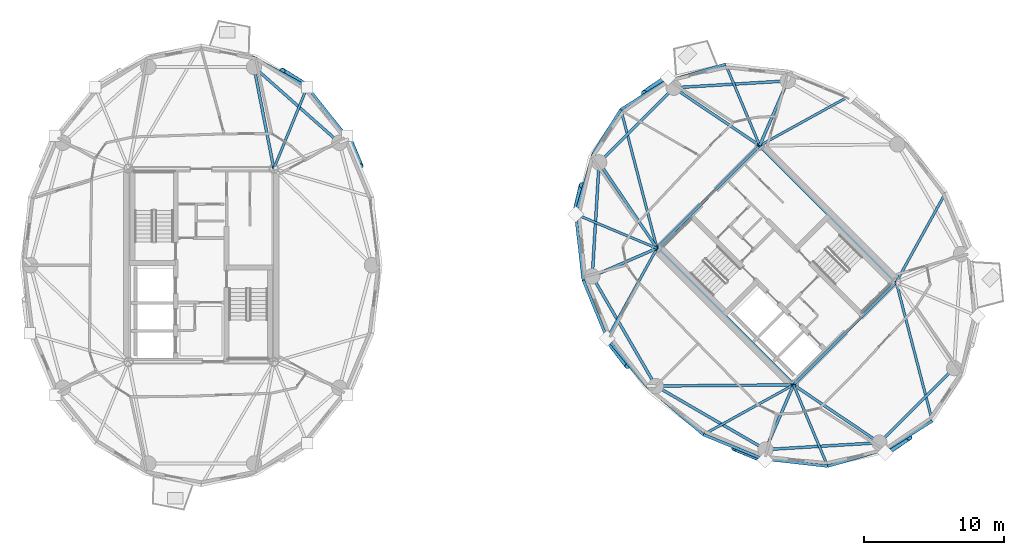
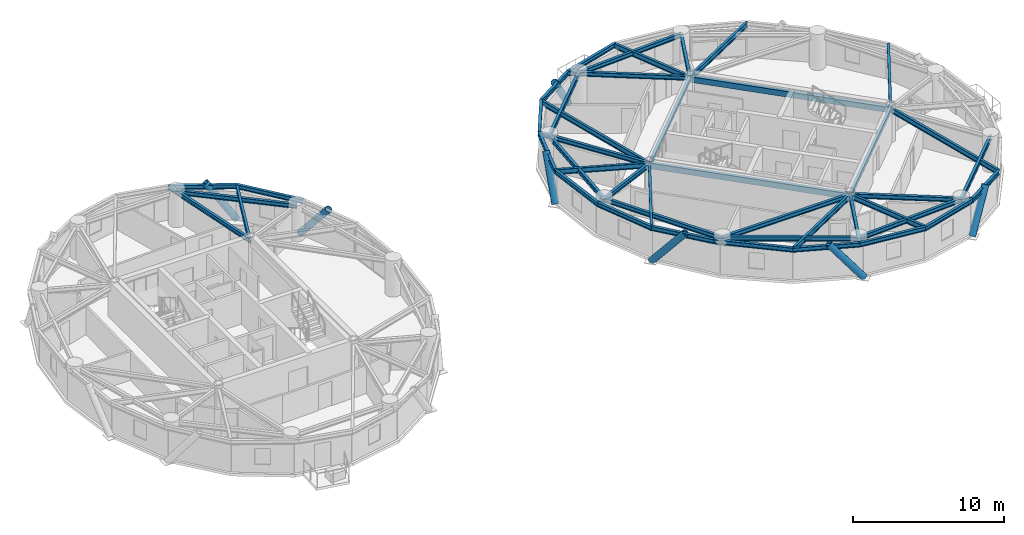
# One storey, part 4 of 16: 44 beams, 7 members.
"""IFC4 building model written with IfcOpenShell, lengths in metres."""

from ifc_helpers import new_model, si_unit, direction, frame, origin, origin_2d, place, context, subcontext, project, spatial, hollow_rectangle, hollow_circle, i_section, extrude, material, material_profile, profile_set, type_object, element, save


model = new_model("IFC4")

# Units and contexts
model_context = context("Model", 3, precision=1e-05, world=origin(), true_north=direction((0.0, 1.0)))
body_context = subcontext(model_context, "Body", "Model", "MODEL_VIEW")
ifc_project = project(units=[si_unit("LENGTHUNIT", "METRE"), si_unit("AREAUNIT", "SQUARE_METRE"), si_unit("VOLUMEUNIT", "CUBIC_METRE"), si_unit("PLANEANGLEUNIT", "RADIAN"), si_unit("MASSUNIT", "GRAM", prefix="KILO")], contexts=[model_context])

# Site, building, storey
site_placement = place(None, origin())
site = spatial("IfcSite", under=ifc_project, at=site_placement, CompositionType="ELEMENT")
building_placement = place(site_placement, origin())
building = spatial("IfcBuilding", under=site, at=building_placement, Name="Cununo Teusaquillo Station Towers", CompositionType="ELEMENT")
storey_placement = place(building_placement, frame((0.0, 0.0, 208.300048828125)))
storey = spatial("IfcBuildingStorey", under=building, at=storey_placement, Name="L66", CompositionType="ELEMENT", Elevation=208.300048828125)

# Beams
ifc_material_1 = material(Name="Steel EN 10025-2 S355J2", Category="steel")
ifc_material_profile_1 = material_profile(ifc_material_1, hollow_rectangle(XDim=0.25, YDim=0.449951171875, WallThickness=0.01611328125, at=origin_2d()), Name="RHS 450x250x16")
ifc_profile_set_1 = profile_set([ifc_material_profile_1], Name="Steel EN 10025-2 S355J2")
beam_type_1 = type_object("IfcBeamType", Name="BM-COUP-1", PredefinedType="USERDEFINED", material=ifc_profile_set_1)
for number, where, z_axis, x_axis, name in (
    (1, (58.70556640625, 15.975830078125, 2.474853515625), (-0.707106781187, 0.707106781187, 0.0), (-0.707106781187, -0.707106781187, 0.0), "L66 Tower B Core Beam 1"),
    (2, (66.024169921875, 23.29443359375, 2.474853515625), (-0.707106781187, 0.707106781187, 0.0), (-0.707106781187, -0.707106781187, 0.0), "L66 Tower B Core Beam 2"),
):
    element("IfcBeam", number, at=place(storey_placement, frame(where, z_axis=z_axis, x_axis=x_axis)), inside=storey, type_object=beam_type_1, Name=name, ObjectType="COUPLING BEAM", PredefinedType="USERDEFINED", context=body_context, shape_type="SweptSolid", body=[
        extrude(hollow_rectangle(XDim=0.25, YDim=0.449951171875, WallThickness=0.01611328125, at=origin_2d()), origin(), (0.0, 0.0, 1.0), 13.760009765625),
    ])
ifc_material_2 = material(Name="Steel ASTM A572 Grade 50", Category="steel")
ifc_material_profile_2 = material_profile(ifc_material_2, i_section(OverallWidth=0.180908203125, OverallDepth=0.4169921875, WebThickness=0.010986328125, FlangeThickness=0.018310546875, FilletRadius=0.012939453125, at=origin_2d()), Name="W16X57")
ifc_profile_set_2 = profile_set([ifc_material_profile_2], Name="Steel ASTM A572 Grade 50")
beam_type_2 = type_object("IfcBeamType", Name="BM-JOIST-1", PredefinedType="JOIST", material=ifc_profile_set_2)
beam_1_placement = place(storey_placement, frame((21.675048828125, 31.3798828125, 2.491455078125), z_axis=(0.378576847217, 0.925569862707, 0.0), x_axis=(-0.925569862707, 0.378576847217, 0.0)))
element("IfcBeam", 3, at=beam_1_placement, inside=storey, type_object=beam_type_2, Name="L66 Tower A Radial Spandrel Joist V03", PredefinedType="JOIST", context=body_context, shape_type="SweptSolid", body=[
    extrude(i_section(OverallWidth=0.180908203125, OverallDepth=0.4169921875, WebThickness=0.010986328125, FlangeThickness=0.018310546875, FilletRadius=0.012939453125, at=origin_2d()), origin(), (0.0, 0.0, 1.0), 6.28125),
])
beam_2_placement = place(storey_placement, frame((56.29443359375, 33.024169921875, 2.491455078125), z_axis=(0.8753153358, 0.483552544108, 0.0), x_axis=(-0.483552544108, 0.8753153358, 0.0)))
element("IfcBeam", 4, at=beam_2_placement, inside=storey, type_object=beam_type_2, Name="L66 Tower B Radial Spandrel Joist V01", PredefinedType="JOIST", context=body_context, shape_type="SweptSolid", body=[
    extrude(i_section(OverallWidth=0.180908203125, OverallDepth=0.4169921875, WebThickness=0.010986328125, FlangeThickness=0.018310546875, FilletRadius=0.012939453125, at=origin_2d()), origin(), (0.0, 0.0, 1.0), 7.3330078125),
])
beam_3_placement = place(storey_placement, frame((56.29443359375, 33.024169921875, 2.491455078125), z_axis=(-0.386786389381, 0.922169338565, 0.0), x_axis=(-0.922169338565, -0.386786389381, 0.0)))
element("IfcBeam", 5, at=beam_3_placement, inside=storey, type_object=beam_type_2, Name="L66 Tower B Radial Spandrel Joist V03", PredefinedType="JOIST", context=body_context, shape_type="SweptSolid", body=[
    extrude(i_section(OverallWidth=0.180908203125, OverallDepth=0.4169921875, WebThickness=0.010986328125, FlangeThickness=0.018310546875, FilletRadius=0.012939453125, at=origin_2d()), origin(), (0.0, 0.0, 1.0), 6.281005859375),
])
beam_4_placement = place(storey_placement, frame((48.975830078125, 25.70556640625, 2.491455078125), z_axis=(-0.251559992432, 0.967841707206, 0.0), x_axis=(-0.967841707206, -0.251559992432, 0.0)))
element("IfcBeam", 6, at=beam_4_placement, inside=storey, type_object=beam_type_2, Name="L66 Tower B Radial Spandrel Joist V05", PredefinedType="JOIST", context=body_context, shape_type="SweptSolid", body=[
    extrude(i_section(OverallWidth=0.180908203125, OverallDepth=0.4169921875, WebThickness=0.010986328125, FlangeThickness=0.018310546875, FilletRadius=0.012939453125, at=origin_2d()), origin(), (0.0, 0.0, 1.0), 10.217529296875),
])
beam_5_placement = place(storey_placement, frame((48.975830078125, 25.70556640625, 2.491455078125), z_axis=(-0.922169338565, 0.386786389381, 0.0), x_axis=(-0.386786389381, -0.922169338565, 0.0)))
element("IfcBeam", 7, at=beam_5_placement, inside=storey, type_object=beam_type_2, Name="L66 Tower B Radial Spandrel Joist V07", PredefinedType="JOIST", context=body_context, shape_type="SweptSolid", body=[
    extrude(i_section(OverallWidth=0.180908203125, OverallDepth=0.4169921875, WebThickness=0.010986328125, FlangeThickness=0.018310546875, FilletRadius=0.012939453125, at=origin_2d()), origin(), (0.0, 0.0, 1.0), 6.281005859375),
])
for number, where, z_axis, x_axis, name in (
    (8, (48.975830078125, 25.70556640625, 2.491455078125), (-0.483552544108, -0.8753153358, 0.0), (0.8753153358, -0.483552544108, 0.0), "L66 Tower B Radial Spandrel Joist V09"),
    (9, (58.70556640625, 15.975830078125, 2.491455078125), (-0.8753153358, -0.483552544108, 0.0), (0.483552544108, -0.8753153358, 0.0), "L66 Tower B Radial Spandrel Joist V11"),
):
    element("IfcBeam", number, at=place(storey_placement, frame(where, z_axis=z_axis, x_axis=x_axis)), inside=storey, type_object=beam_type_2, Name=name, PredefinedType="JOIST", context=body_context, shape_type="SweptSolid", body=[
        extrude(i_section(OverallWidth=0.180908203125, OverallDepth=0.4169921875, WebThickness=0.010986328125, FlangeThickness=0.018310546875, FilletRadius=0.012939453125, at=origin_2d()), origin(), (0.0, 0.0, 1.0), 7.3330078125),
    ])
beam_6_placement = place(storey_placement, frame((58.70556640625, 15.975830078125, 2.491455078125), z_axis=(0.386786389381, -0.922169338565, 0.0), x_axis=(0.922169338565, 0.386786389381, 0.0)))
element("IfcBeam", 10, at=beam_6_placement, inside=storey, type_object=beam_type_2, Name="L66 Tower B Radial Spandrel Joist V13", PredefinedType="JOIST", context=body_context, shape_type="SweptSolid", body=[
    extrude(i_section(OverallWidth=0.180908203125, OverallDepth=0.4169921875, WebThickness=0.010986328125, FlangeThickness=0.018310546875, FilletRadius=0.012939453125, at=origin_2d()), origin(), (0.0, 0.0, 1.0), 6.281005859375),
])
beam_7_placement = place(storey_placement, frame((66.024169921875, 23.29443359375, 2.491455078125), z_axis=(0.251559992432, -0.967841707206, 0.0), x_axis=(0.967841707206, 0.251559992432, 0.0)))
element("IfcBeam", 11, at=beam_7_placement, inside=storey, type_object=beam_type_2, Name="L66 Tower B Radial Spandrel Joist V15", PredefinedType="JOIST", context=body_context, shape_type="SweptSolid", body=[
    extrude(i_section(OverallWidth=0.180908203125, OverallDepth=0.4169921875, WebThickness=0.010986328125, FlangeThickness=0.018310546875, FilletRadius=0.012939453125, at=origin_2d()), origin(), (0.0, 0.0, 1.0), 10.217529296875),
])
beam_8_placement = place(storey_placement, frame((66.024169921875, 23.29443359375, 2.491455078125), z_axis=(0.483552544108, 0.8753153358, 0.0), x_axis=(-0.8753153358, 0.483552544108, 0.0)))
element("IfcBeam", 12, at=beam_8_placement, inside=storey, type_object=beam_type_2, Name="L66 Tower B Radial Spandrel Joist V19", PredefinedType="JOIST", context=body_context, shape_type="SweptSolid", body=[
    extrude(i_section(OverallWidth=0.180908203125, OverallDepth=0.4169921875, WebThickness=0.010986328125, FlangeThickness=0.018310546875, FilletRadius=0.012939453125, at=origin_2d()), origin(), (0.0, 0.0, 1.0), 7.3330078125),
])
ifc_material_3 = material(Name="Steel ASTM A572 Grade 50", Category="steel")
ifc_material_profile_3 = material_profile(ifc_material_3, i_section(OverallWidth=0.2041015625, OverallDepth=0.35009765625, WebThickness=0.008544921875, FlangeThickness=0.01513671875, FilletRadius=0.011962890625, at=origin_2d()), Name="W14X48")
ifc_profile_set_3 = profile_set([ifc_material_profile_3], Name="Steel ASTM A572 Grade 50")
beam_type_3 = type_object("IfcBeamType", Name="BM-LINTEL-1", PredefinedType="LINTEL", material=ifc_profile_set_3)
for number, where, z_axis, x_axis, name in (
    (13, (58.70556640625, 15.975830078125, 2.52490234375), (0.707106781187, 0.707106781187, 0.0), (-0.707106781187, 0.707106781187, 0.0), "L66 Tower B Core Beam 3"),
    (14, (48.975830078125, 25.70556640625, 2.52490234375), (0.707106781187, 0.707106781187, 0.0), (-0.707106781187, 0.707106781187, 0.0), "L66 Tower B Core Beam 4"),
):
    element("IfcBeam", number, at=place(storey_placement, frame(where, z_axis=z_axis, x_axis=x_axis)), inside=storey, type_object=beam_type_3, Name=name, PredefinedType="LINTEL", context=body_context, shape_type="SweptSolid", body=[
        extrude(i_section(OverallWidth=0.2041015625, OverallDepth=0.35009765625, WebThickness=0.008544921875, FlangeThickness=0.01513671875, FilletRadius=0.011962890625, at=origin_2d()), origin(), (0.0, 0.0, 1.0), 10.35009765625),
    ])
ifc_material_4 = material(Name="Steel ASTM A572 Grade 50", Category="steel")
ifc_material_profile_4 = material_profile(ifc_material_4, i_section(OverallWidth=0.2041015625, OverallDepth=0.35009765625, WebThickness=0.008544921875, FlangeThickness=0.01513671875, FilletRadius=0.011962890625, at=origin_2d()), Name="W14X48")
ifc_profile_set_4 = profile_set([ifc_material_profile_4], Name="Steel ASTM A572 Grade 50")
beam_type_4 = type_object("IfcBeamType", Name="BM-RAD-G3", PredefinedType="BEAM", material=ifc_profile_set_4)
beam_9_placement = place(storey_placement, frame((21.675048828125, 31.3798828125, 2.52490234375), z_axis=(-0.191548487699, 0.981483151593, 0.0), x_axis=(-0.981483151593, -0.191548487699, 0.0)))
element("IfcBeam", 15, at=beam_9_placement, inside=storey, type_object=beam_type_4, Name="L66 Tower A Continuous Overhanging Radial Girder 03", PredefinedType="BEAM", context=body_context, shape_type="SweptSolid", body=[
    extrude(i_section(OverallWidth=0.2041015625, OverallDepth=0.35009765625, WebThickness=0.008544921875, FlangeThickness=0.01513671875, FilletRadius=0.011962890625, at=origin_2d()), origin(), (0.0, 0.0, 1.0), 8.1240234375),
])
beam_10_placement = place(storey_placement, frame((56.29443359375, 33.024169921875, 2.52490234375), z_axis=(0.397346986387, 0.917668443616, 0.0), x_axis=(-0.917668443616, 0.397346986387, 0.0)))
element("IfcBeam", 16, at=beam_10_placement, inside=storey, type_object=beam_type_4, Name="L66 Tower B Radial Girder 02A", PredefinedType="BEAM", context=body_context, shape_type="SweptSolid", body=[
    extrude(i_section(OverallWidth=0.2041015625, OverallDepth=0.35009765625, WebThickness=0.008544921875, FlangeThickness=0.01513671875, FilletRadius=0.011962890625, at=origin_2d()), origin(), (0.0, 0.0, 1.0), 5.02490234375),
])
for number, where, z_axis, x_axis, name in (
    (17, (56.29443359375, 33.024169921875, 2.52490234375), (-0.829456817529, 0.558570844079, 0.0), (-0.558570844079, -0.829456817529, 0.0), "L66 Tower B Continuous Overhanging Radial Girder 03"),
    (18, (48.975830078125, 25.70556640625, 2.52490234375), (-0.558570844079, 0.829456817529, 0.0), (-0.829456817529, -0.558570844079, 0.0), "L66 Tower B Continuous Overhanging Radial Girder 04"),
):
    element("IfcBeam", number, at=place(storey_placement, frame(where, z_axis=z_axis, x_axis=x_axis)), inside=storey, type_object=beam_type_4, Name=name, PredefinedType="BEAM", context=body_context, shape_type="SweptSolid", body=[
        extrude(i_section(OverallWidth=0.2041015625, OverallDepth=0.35009765625, WebThickness=0.008544921875, FlangeThickness=0.01513671875, FilletRadius=0.011962890625, at=origin_2d()), origin(), (0.0, 0.0, 1.0), 8.1240234375),
    ])
beam_11_placement = place(storey_placement, frame((48.975830078125, 25.70556640625, 2.52490234375), z_axis=(-0.917665176837, -0.397354530893, 0.0), x_axis=(0.397354530893, -0.917665176837, 0.0)))
element("IfcBeam", 19, at=beam_11_placement, inside=storey, type_object=beam_type_4, Name="L66 Tower B Continuous Overhanging Radial Girder 05", PredefinedType="BEAM", context=body_context, shape_type="SweptSolid", body=[
    extrude(i_section(OverallWidth=0.2041015625, OverallDepth=0.35009765625, WebThickness=0.008544921875, FlangeThickness=0.01513671875, FilletRadius=0.011962890625, at=origin_2d()), origin(), (0.0, 0.0, 1.0), 5.716552734375),
])
beam_12_placement = place(storey_placement, frame((58.70556640625, 15.975830078125, 2.52490234375), z_axis=(-0.999964431382, -0.008434214327, 0.0), x_axis=(0.008434214327, -0.999964431382, 0.0)))
element("IfcBeam", 20, at=beam_12_placement, inside=storey, type_object=beam_type_4, Name="L66 Tower B Radial Girder 06A", PredefinedType="BEAM", context=body_context, shape_type="SweptSolid", body=[
    extrude(i_section(OverallWidth=0.2041015625, OverallDepth=0.35009765625, WebThickness=0.008544921875, FlangeThickness=0.01513671875, FilletRadius=0.011962890625, at=origin_2d()), origin(), (0.0, 0.0, 1.0), 9.812744140625),
])
beam_13_placement = place(storey_placement, frame((58.70556640625, 15.975830078125, 2.52490234375), z_axis=(-0.397354530893, -0.917665176837, 0.0), x_axis=(0.917665176837, -0.397354530893, 0.0)))
element("IfcBeam", 21, at=beam_13_placement, inside=storey, type_object=beam_type_4, Name="L66 Tower B Continuous Overhanging Radial Girder 07", PredefinedType="BEAM", context=body_context, shape_type="SweptSolid", body=[
    extrude(i_section(OverallWidth=0.2041015625, OverallDepth=0.35009765625, WebThickness=0.008544921875, FlangeThickness=0.01513671875, FilletRadius=0.011962890625, at=origin_2d()), origin(), (0.0, 0.0, 1.0), 5.716552734375),
])
beam_14_placement = place(storey_placement, frame((58.70556640625, 15.975830078125, 2.52490234375), z_axis=(0.829456817529, -0.558570844079, 0.0), x_axis=(0.558570844079, 0.829456817529, 0.0)))
element("IfcBeam", 22, at=beam_14_placement, inside=storey, type_object=beam_type_4, Name="L66 Tower B Continuous Overhanging Radial Girder 08", PredefinedType="BEAM", context=body_context, shape_type="SweptSolid", body=[
    extrude(i_section(OverallWidth=0.2041015625, OverallDepth=0.35009765625, WebThickness=0.008544921875, FlangeThickness=0.01513671875, FilletRadius=0.011962890625, at=origin_2d()), origin(), (0.0, 0.0, 1.0), 8.1240234375),
])
ifc_material_5 = material(Name="Steel ASTM A572 Grade 50", Category="steel")
ifc_material_profile_5 = material_profile(ifc_material_5, i_section(OverallWidth=0.2041015625, OverallDepth=0.35009765625, WebThickness=0.008544921875, FlangeThickness=0.01513671875, FilletRadius=0.011962890625, at=origin_2d()), Name="W14X48")
ifc_profile_set_5 = profile_set([ifc_material_profile_5], Name="Steel ASTM A572 Grade 50")
beam_type_5 = type_object("IfcBeamType", Name="BM-RING-Z4", PredefinedType="SPANDREL", material=ifc_profile_set_5)
beam_15_placement = place(storey_placement, frame((26.347412109375, 33.228515625, 2.52490234375), z_axis=(-0.74832120039, 0.66333655187, 0.0), x_axis=(-0.66333655187, -0.74832120039, 0.0)))
element("IfcBeam", 23, at=beam_15_placement, inside=storey, type_object=beam_type_5, Name="L66 Tower A Structural Column Ring Girder 02", PredefinedType="SPANDREL", context=body_context, shape_type="SweptSolid", body=[
    extrude(i_section(OverallWidth=0.2041015625, OverallDepth=0.35009765625, WebThickness=0.008544921875, FlangeThickness=0.01513671875, FilletRadius=0.011962890625, at=origin_2d()), origin(), (0.0, 0.0, 1.0), 8.1328125),
])
beam_16_placement = place(storey_placement, frame((26.990478515625, 33.483154296875, 2.52490234375), z_axis=(-0.620710872531, 0.784039547932, 0.0), x_axis=(-0.784039547932, -0.620710872531, 0.0)))
element("IfcBeam", 24, at=beam_16_placement, inside=storey, type_object=beam_type_5, Name="L66 Tower A Spandrel Ring Beam 03", PredefinedType="SPANDREL", context=body_context, shape_type="SweptSolid", body=[
    extrude(i_section(OverallWidth=0.2041015625, OverallDepth=0.35009765625, WebThickness=0.008544921875, FlangeThickness=0.01513671875, FilletRadius=0.011962890625, at=origin_2d()), origin(), (0.0, 0.0, 1.0), 4.732421875),
])
beam_17_placement = place(storey_placement, frame((24.052978515625, 37.193603515625, 2.52490234375), z_axis=(-0.876576300909, 0.481262910149, 0.0), x_axis=(-0.481262910149, -0.876576300909, 0.0)))
element("IfcBeam", 25, at=beam_17_placement, inside=storey, type_object=beam_type_5, Name="L66 Tower A Spandrel Ring Beam 04", PredefinedType="SPANDREL", context=body_context, shape_type="SweptSolid", body=[
    extrude(i_section(OverallWidth=0.2041015625, OverallDepth=0.35009765625, WebThickness=0.008544921875, FlangeThickness=0.01513671875, FilletRadius=0.011962890625, at=origin_2d()), origin(), (0.0, 0.0, 1.0), 4.488037109375),
])
beam_18_placement = place(storey_placement, frame((58.291015625, 37.63525390625, 2.52490234375), z_axis=(-0.998190567048, -0.06012979176, 0.0), x_axis=(0.06012979176, -0.998190567048, 0.0)))
element("IfcBeam", 26, at=beam_18_placement, inside=storey, type_object=beam_type_5, Name="L66 Tower B Structural Column Ring Girder 02", PredefinedType="SPANDREL", context=body_context, shape_type="SweptSolid", body=[
    extrude(i_section(OverallWidth=0.2041015625, OverallDepth=0.35009765625, WebThickness=0.008544921875, FlangeThickness=0.01513671875, FilletRadius=0.011962890625, at=origin_2d()), origin(), (0.0, 0.0, 1.0), 8.132568359375),
])
beam_19_placement = place(storey_placement, frame((50.173095703125, 37.146240234375, 2.52490234375), z_axis=(-0.707106781187, -0.707106781187, 0.0), x_axis=(0.707106781187, -0.707106781187, 0.0)))
element("IfcBeam", 27, at=beam_19_placement, inside=storey, type_object=beam_type_5, Name="L66 Tower B Structural Column Ring Girder 03", PredefinedType="SPANDREL", context=body_context, shape_type="SweptSolid", body=[
    extrude(i_section(OverallWidth=0.2041015625, OverallDepth=0.35009765625, WebThickness=0.008544921875, FlangeThickness=0.01513671875, FilletRadius=0.011962890625, at=origin_2d()), origin(), (0.0, 0.0, 1.0), 7.522705078125),
])
beam_20_placement = place(storey_placement, frame((44.853759765625, 31.826904296875, 2.52490234375), z_axis=(-0.06012979176, -0.998190567048, 0.0), x_axis=(0.998190567048, -0.06012979176, 0.0)))
element("IfcBeam", 28, at=beam_20_placement, inside=storey, type_object=beam_type_5, Name="L66 Tower B Structural Column Ring Girder 04", PredefinedType="SPANDREL", context=body_context, shape_type="SweptSolid", body=[
    extrude(i_section(OverallWidth=0.2041015625, OverallDepth=0.35009765625, WebThickness=0.008544921875, FlangeThickness=0.01513671875, FilletRadius=0.011962890625, at=origin_2d()), origin(), (0.0, 0.0, 1.0), 8.132568359375),
])
for number, where, z_axis, x_axis, name in (
    (29, (44.36474609375, 23.708984375, 2.52490234375), (0.501311121078, -0.865267103202, 0.0), (0.865267103202, 0.501311121078, 0.0), "L66 Tower B Structural Column Ring Girder 05"),
    (30, (48.89306640625, 15.89306640625, 2.52490234375), (0.865267103202, -0.501311121078, 0.0), (0.501311121078, 0.865267103202, 0.0), "L66 Tower B Structural Column Ring Girder 06"),
):
    element("IfcBeam", number, at=place(storey_placement, frame(where, z_axis=z_axis, x_axis=x_axis)), inside=storey, type_object=beam_type_5, Name=name, PredefinedType="SPANDREL", context=body_context, shape_type="SweptSolid", body=[
        extrude(i_section(OverallWidth=0.2041015625, OverallDepth=0.35009765625, WebThickness=0.008544921875, FlangeThickness=0.01513671875, FilletRadius=0.011962890625, at=origin_2d()), origin(), (0.0, 0.0, 1.0), 9.032958984375),
    ])
beam_21_placement = place(storey_placement, frame((56.708984375, 11.36474609375, 2.52490234375), z_axis=(0.998190567048, 0.06012979176, 0.0), x_axis=(-0.06012979176, 0.998190567048, 0.0)))
element("IfcBeam", 31, at=beam_21_placement, inside=storey, type_object=beam_type_5, Name="L66 Tower B Structural Column Ring Girder 07", PredefinedType="SPANDREL", context=body_context, shape_type="SweptSolid", body=[
    extrude(i_section(OverallWidth=0.2041015625, OverallDepth=0.35009765625, WebThickness=0.008544921875, FlangeThickness=0.01513671875, FilletRadius=0.011962890625, at=origin_2d()), origin(), (0.0, 0.0, 1.0), 8.132568359375),
])
beam_22_placement = place(storey_placement, frame((64.826904296875, 11.853759765625, 2.52490234375), z_axis=(0.707106781187, 0.707106781187, 0.0), x_axis=(-0.707106781187, 0.707106781187, 0.0)))
element("IfcBeam", 32, at=beam_22_placement, inside=storey, type_object=beam_type_5, Name="L66 Tower B Structural Column Ring Girder 08", PredefinedType="SPANDREL", context=body_context, shape_type="SweptSolid", body=[
    extrude(i_section(OverallWidth=0.2041015625, OverallDepth=0.35009765625, WebThickness=0.008544921875, FlangeThickness=0.01513671875, FilletRadius=0.011962890625, at=origin_2d()), origin(), (0.0, 0.0, 1.0), 7.522705078125),
])
beam_23_placement = place(storey_placement, frame((53.864990234375, 38.81640625, 2.52490234375), z_axis=(-0.96014487762, -0.279502797802, 0.0), x_axis=(0.279502797802, -0.96014487762, 0.0)))
element("IfcBeam", 33, at=beam_23_placement, inside=storey, type_object=beam_type_5, Name="L66 Tower B Spandrel Ring Beam 04", PredefinedType="SPANDREL", context=body_context, shape_type="SweptSolid", body=[
    extrude(i_section(OverallWidth=0.2041015625, OverallDepth=0.35009765625, WebThickness=0.008544921875, FlangeThickness=0.01513671875, FilletRadius=0.011962890625, at=origin_2d()), origin(), (0.0, 0.0, 1.0), 4.488037109375),
])
for number, where, z_axis, x_axis, name in (
    (34, (49.555908203125, 37.56201171875, 2.52490234375), (-0.848175505099, -0.529715312739, 0.0), (0.529715312739, -0.848175505099, 0.0), "L66 Tower B Spandrel Ring Beam 05"),
    (35, (46.405517578125, 35.594482421875, 2.52490234375), (-0.529715312739, -0.848175505099, 0.0), (0.848175505099, -0.529715312739, 0.0), "L66 Tower B Spandrel Ring Beam 06"),
):
    element("IfcBeam", number, at=place(storey_placement, frame(where, z_axis=z_axis, x_axis=x_axis)), inside=storey, type_object=beam_type_5, Name=name, PredefinedType="SPANDREL", context=body_context, shape_type="SweptSolid", body=[
        extrude(i_section(OverallWidth=0.2041015625, OverallDepth=0.35009765625, WebThickness=0.008544921875, FlangeThickness=0.01513671875, FilletRadius=0.011962890625, at=origin_2d()), origin(), (0.0, 0.0, 1.0), 3.71435546875),
    ])
beam_24_placement = place(storey_placement, frame((44.43798828125, 32.444091796875, 2.52490234375), z_axis=(-0.279502797802, -0.96014487762, 0.0), x_axis=(0.96014487762, -0.279502797802, 0.0)))
element("IfcBeam", 36, at=beam_24_placement, inside=storey, type_object=beam_type_5, Name="L66 Tower B Spandrel Ring Beam 07", PredefinedType="SPANDREL", context=body_context, shape_type="SweptSolid", body=[
    extrude(i_section(OverallWidth=0.2041015625, OverallDepth=0.35009765625, WebThickness=0.008544921875, FlangeThickness=0.01513671875, FilletRadius=0.011962890625, at=origin_2d()), origin(), (0.0, 0.0, 1.0), 4.488037109375),
])
beam_25_placement = place(storey_placement, frame((43.18359375, 28.135009765625, 2.52490234375), z_axis=(0.115452326356, -0.993313022334, 0.0), x_axis=(0.993313022334, 0.115452326356, 0.0)))
element("IfcBeam", 37, at=beam_25_placement, inside=storey, type_object=beam_type_5, Name="L66 Tower B Spandrel Ring Beam 08", PredefinedType="SPANDREL", context=body_context, shape_type="SweptSolid", body=[
    extrude(i_section(OverallWidth=0.2041015625, OverallDepth=0.35009765625, WebThickness=0.008544921875, FlangeThickness=0.01513671875, FilletRadius=0.011962890625, at=origin_2d()), origin(), (0.0, 0.0, 1.0), 4.732666015625),
])
beam_26_placement = place(storey_placement, frame((43.72998046875, 23.43408203125, 2.52490234375), z_axis=(0.379275405388, -0.925283830437, 0.0), x_axis=(0.925283830437, 0.379275405388, 0.0)))
element("IfcBeam", 38, at=beam_26_placement, inside=storey, type_object=beam_type_5, Name="L66 Tower B Spandrel Ring Beam 09", PredefinedType="SPANDREL", context=body_context, shape_type="SweptSolid", body=[
    extrude(i_section(OverallWidth=0.2041015625, OverallDepth=0.35009765625, WebThickness=0.008544921875, FlangeThickness=0.01513671875, FilletRadius=0.011962890625, at=origin_2d()), origin(), (0.0, 0.0, 1.0), 4.482177734375),
])
beam_27_placement = place(storey_placement, frame((45.429931640625, 19.286865234375, 2.52490234375), z_axis=(0.637524682095, -0.770429931739, 0.0), x_axis=(0.770429931739, 0.637524682095, 0.0)))
element("IfcBeam", 39, at=beam_27_placement, inside=storey, type_object=beam_type_5, Name="L66 Tower B Spandrel Ring Beam 10", PredefinedType="SPANDREL", context=body_context, shape_type="SweptSolid", body=[
    extrude(i_section(OverallWidth=0.2041015625, OverallDepth=0.35009765625, WebThickness=0.008544921875, FlangeThickness=0.01513671875, FilletRadius=0.011962890625, at=origin_2d()), origin(), (0.0, 0.0, 1.0), 4.412353515625),
])
beam_28_placement = place(storey_placement, frame((48.242919921875, 15.887451171875, 2.52490234375), z_axis=(0.760065778291, -0.649846145385, 0.0), x_axis=(0.649846145385, 0.760065778291, 0.0)))
element("IfcBeam", 40, at=beam_28_placement, inside=storey, type_object=beam_type_5, Name="L66 Tower B Spandrel Ring Beam 11", PredefinedType="SPANDREL", context=body_context, shape_type="SweptSolid", body=[
    extrude(i_section(OverallWidth=0.2041015625, OverallDepth=0.35009765625, WebThickness=0.008544921875, FlangeThickness=0.01513671875, FilletRadius=0.011962890625, at=origin_2d()), origin(), (0.0, 0.0, 1.0), 5.320556640625),
])
beam_29_placement = place(storey_placement, frame((52.286865234375, 12.429931640625, 2.52490234375), z_axis=(0.925283830437, -0.379275405388, 0.0), x_axis=(0.379275405388, 0.925283830437, 0.0)))
element("IfcBeam", 41, at=beam_29_placement, inside=storey, type_object=beam_type_5, Name="L66 Tower B Spandrel Ring Beam 12", PredefinedType="SPANDREL", context=body_context, shape_type="SweptSolid", body=[
    extrude(i_section(OverallWidth=0.2041015625, OverallDepth=0.35009765625, WebThickness=0.008544921875, FlangeThickness=0.01513671875, FilletRadius=0.011962890625, at=origin_2d()), origin(), (0.0, 0.0, 1.0), 4.482177734375),
])
beam_30_placement = place(storey_placement, frame((56.43408203125, 10.72998046875, 2.52490234375), z_axis=(0.993313022334, -0.115452326356, 0.0), x_axis=(0.115452326356, 0.993313022334, 0.0)))
element("IfcBeam", 42, at=beam_30_placement, inside=storey, type_object=beam_type_5, Name="L66 Tower B Spandrel Ring Beam 13", PredefinedType="SPANDREL", context=body_context, shape_type="SweptSolid", body=[
    extrude(i_section(OverallWidth=0.2041015625, OverallDepth=0.35009765625, WebThickness=0.008544921875, FlangeThickness=0.01513671875, FilletRadius=0.011962890625, at=origin_2d()), origin(), (0.0, 0.0, 1.0), 4.732666015625),
])
beam_31_placement = place(storey_placement, frame((61.135009765625, 10.18359375, 2.52490234375), z_axis=(0.96014487762, 0.279502797802, 0.0), x_axis=(-0.279502797802, 0.96014487762, 0.0)))
element("IfcBeam", 43, at=beam_31_placement, inside=storey, type_object=beam_type_5, Name="L66 Tower B Spandrel Ring Beam 14", PredefinedType="SPANDREL", context=body_context, shape_type="SweptSolid", body=[
    extrude(i_section(OverallWidth=0.2041015625, OverallDepth=0.35009765625, WebThickness=0.008544921875, FlangeThickness=0.01513671875, FilletRadius=0.011962890625, at=origin_2d()), origin(), (0.0, 0.0, 1.0), 4.488037109375),
])
beam_32_placement = place(storey_placement, frame((65.444091796875, 11.43798828125, 2.52490234375), z_axis=(0.848175505099, 0.529715312739, 0.0), x_axis=(-0.529715312739, 0.848175505099, 0.0)))
element("IfcBeam", 44, at=beam_32_placement, inside=storey, type_object=beam_type_5, Name="L66 Tower B Spandrel Ring Beam 15", PredefinedType="SPANDREL", context=body_context, shape_type="SweptSolid", body=[
    extrude(i_section(OverallWidth=0.2041015625, OverallDepth=0.35009765625, WebThickness=0.008544921875, FlangeThickness=0.01513671875, FilletRadius=0.011962890625, at=origin_2d()), origin(), (0.0, 0.0, 1.0), 3.71435546875),
])

# Members
ifc_material_6 = material(Name="Steel EN 10025-2 S355J2", Category="steel")
ifc_material_profile_6 = material_profile(ifc_material_6, hollow_circle(Radius=0.25390625, WallThickness=0.01806640625, at=origin_2d()), Name="CHS 508x18")
ifc_profile_set_6 = profile_set([ifc_material_profile_6], Name="Steel EN 10025-2 S355J2")
member_type = type_object("IfcMemberType", Name="MBR-DIAG-Z4", PredefinedType="BRACE", material=ifc_profile_set_6)
member_1_placement = place(storey_placement, frame((26.89599609375, 33.722412109375, -0.14013671875), z_axis=(0.243166093577, -0.582739932119, 0.775425317131), x_axis=(0.922875628603, 0.385098135713, 0.0)))
element("IfcMember", 45, at=member_1_placement, inside=storey, type_object=member_type, Name="L66 Tower A Folded-Zigzag Diagrid Tube C01", PredefinedType="BRACE", context=body_context, shape_type="SweptSolid", body=[
    extrude(hollow_circle(Radius=0.25390625, WallThickness=0.01806640625, at=origin_2d()), origin(), (0.0, 0.0, 1.0), 3.7529296875),
])
member_2_placement = place(storey_placement, frame((24.052978515625, 37.193603515625, -0.14013671875), z_axis=(-0.49830633528, 0.310015010117, 0.809679868666), x_axis=(-0.528249968439, -0.849088906325, 0.0)))
element("IfcMember", 46, at=member_2_placement, inside=storey, type_object=member_type, Name="L66 Tower A Folded-Zigzag Diagrid Tube C03", PredefinedType="BRACE", context=body_context, shape_type="SweptSolid", body=[
    extrude(hollow_circle(Radius=0.25390625, WallThickness=0.01806640625, at=origin_2d()), origin(), (0.0, 0.0, 1.0), 3.59423828125),
])
member_3_placement = place(storey_placement, frame((49.75634765625, 37.859375, -0.14013671875), z_axis=(-0.472806646223, -0.319521670579, 0.821194116709), x_axis=(0.559926853965, -0.828542043718, 0.0)))
element("IfcMember", 47, at=member_3_placement, inside=storey, type_object=member_type, Name="L66 Tower B Folded-Zigzag Diagrid Tube C04", PredefinedType="BRACE", context=body_context, shape_type="SweptSolid", body=[
    extrude(hollow_circle(Radius=0.25390625, WallThickness=0.01806640625, at=origin_2d()), origin(), (0.0, 0.0, 1.0), 3.543701171875),
])
member_4_placement = place(storey_placement, frame((43.18359375, 28.135009765625, -0.14013671875), z_axis=(0.133138350703, 0.571543919802, 0.809698541008), x_axis=(-0.97392481585, 0.226871005356, 0.0)))
element("IfcMember", 48, at=member_4_placement, inside=storey, type_object=member_type, Name="L66 Tower B Folded-Zigzag Diagrid Tube C06", PredefinedType="BRACE", context=body_context, shape_type="SweptSolid", body=[
    extrude(hollow_circle(Radius=0.25390625, WallThickness=0.01806640625, at=origin_2d()), origin(), (0.0, 0.0, 1.0), 3.59423828125),
])
member_5_placement = place(storey_placement, frame((45.429931640625, 19.286865234375, -0.14013671875), z_axis=(0.392535496674, -0.509570298661, 0.7656722501), x_axis=(0.792204307351, 0.610255958934, 0.0)))
element("IfcMember", 49, at=member_5_placement, inside=storey, type_object=member_type, Name="L66 Tower B Folded-Zigzag Diagrid Tube C09", PredefinedType="BRACE", context=body_context, shape_type="SweptSolid", body=[
    extrude(hollow_circle(Radius=0.25390625, WallThickness=0.01806640625, at=origin_2d()), origin(), (0.0, 0.0, 1.0), 3.80078125),
])
member_6_placement = place(storey_placement, frame((56.670166015625, 10.627685546875, -0.14013671875), z_axis=(-0.583986306041, 0.240112894686, 0.775439096359), x_axis=(-0.380273025704, -0.924874275738, 0.0)))
element("IfcMember", 50, at=member_6_placement, inside=storey, type_object=member_type, Name="L66 Tower B Folded-Zigzag Diagrid Tube C11", PredefinedType="BRACE", context=body_context, shape_type="SweptSolid", body=[
    extrude(hollow_circle(Radius=0.25390625, WallThickness=0.01806640625, at=origin_2d()), origin(), (0.0, 0.0, 1.0), 3.7529296875),
])
member_7_placement = place(storey_placement, frame((65.24365234375, 11.140625, -0.14013671875), z_axis=(0.472806646223, 0.319521670579, 0.821194116709), x_axis=(-0.559926853965, 0.828542043718, 0.0)))
element("IfcMember", 51, at=member_7_placement, inside=storey, type_object=member_type, Name="L66 Tower B Folded-Zigzag Diagrid Tube C14", PredefinedType="BRACE", context=body_context, shape_type="SweptSolid", body=[
    extrude(hollow_circle(Radius=0.25390625, WallThickness=0.01806640625, at=origin_2d()), origin(), (0.0, 0.0, 1.0), 3.543701171875),
])

save(model, "model.ifc")
